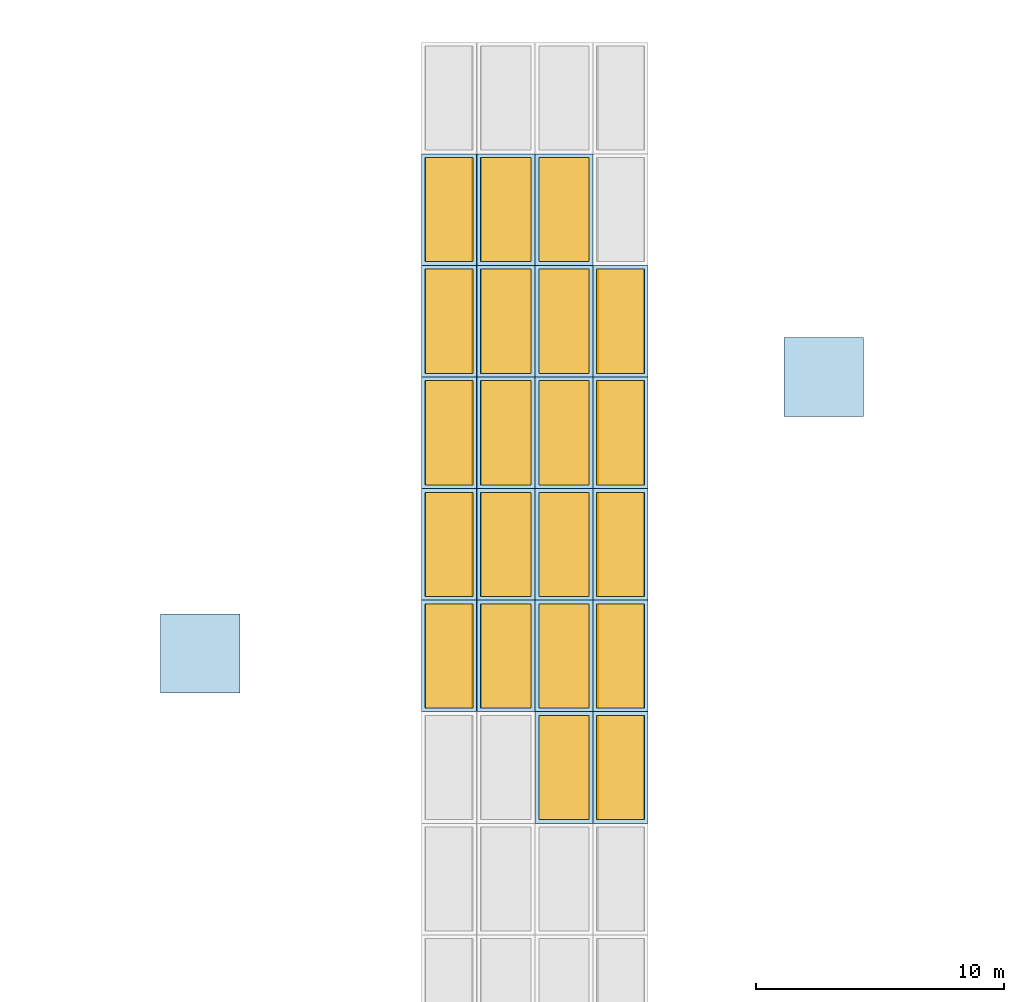
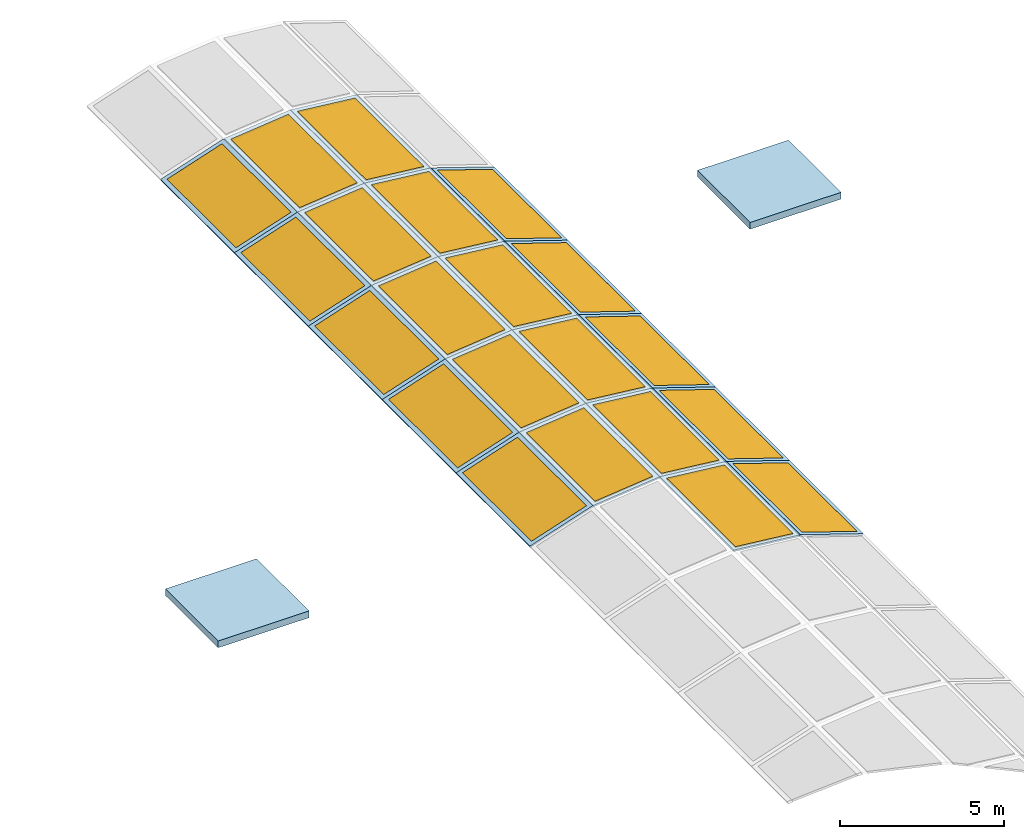
# One storey, part 21 of 45: 23 slabs, 21 windows, 21 openings.
"""IFC4 building model written with IfcOpenShell, lengths in metres."""

import ifcopenshell
import ifcopenshell.guid

model = None  # the IFC model being written
_history = None  # IfcOwnerHistory: only IFC2X3 demands one
_inside = {}  # id of a spatial element -> (the spatial element, [elements in it])
_under = {}  # id of a project, library or spatial element -> (it, [spatial elements below it])
_declared = {}  # id of a project -> (the project, [libraries it declares])
_typed = {}  # id of a type object -> (the type object, [elements of that type])
_made_of = {}  # id of a material, layer set ... -> (it, [elements and type objects made of it])


def new_model(schema):
    """Start an empty IFC model of exactly this schema.

    Asked for "IFC4X3", IfcOpenShell would pick the latest addendum, in which some entities
    have other attributes; the version numbers below select the first issue.
    IFC2X3 requires an IfcOwnerHistory on every rooted entity: one is made here for all.
    """
    global model, _history
    if schema == "IFC4X3":
        model = ifcopenshell.file(schema_version=(4, 3, 0, 0))
    else:
        model = ifcopenshell.file(schema=schema)
    _inside.clear()
    _under.clear()
    _declared.clear()
    _typed.clear()
    _made_of.clear()
    _history = None
    if model.schema == "IFC2X3":
        org = make("IfcOrganization", Name="unknown")
        user = make(
            "IfcPersonAndOrganization",
            ThePerson=make("IfcPerson", FamilyName="unknown"),
            TheOrganization=org,
        )
        app = make(
            "IfcApplication",
            ApplicationDeveloper=org,
            Version="unknown",
            ApplicationFullName="unknown",
            ApplicationIdentifier="unknown",
        )
        _history = make(
            "IfcOwnerHistory",
            OwningUser=user,
            OwningApplication=app,
            ChangeAction="ADDED",
            CreationDate=0,
        )
    return model


def make(cls, **values):
    """One entity of the class cls with the attributes given. An attribute that is None is left unset."""
    return model.create_entity(
        cls, **{name: value for name, value in values.items() if value is not None}
    )


def rooted(cls, **values):
    """An entity with a GlobalId (a new one), such as an element, a storey or a relation."""
    return make(cls, GlobalId=ifcopenshell.guid.new(), OwnerHistory=_history, **values)


def si_unit(unit_type, name, prefix=None):
    """IfcSIUnit, for example si_unit("LENGTHUNIT", "METRE", prefix="MILLI")."""
    return make("IfcSIUnit", UnitType=unit_type, Prefix=prefix, Name=name)


def assignment(units):
    """IfcUnitAssignment: the units of a project."""
    return None if units is None else make("IfcUnitAssignment", Units=units)


def point(xyz):
    """IfcCartesianPoint."""
    return None if xyz is None else make("IfcCartesianPoint", Coordinates=xyz)


def direction(xyz):
    """IfcDirection."""
    return None if xyz is None else make("IfcDirection", DirectionRatios=xyz)


def frame(location, z_axis=None, x_axis=None):
    """IfcAxis2Placement3D, a coordinate frame: its origin and axes. An axis left out is left unset."""
    return make(
        "IfcAxis2Placement3D",
        Location=point(location),
        Axis=direction(z_axis),
        RefDirection=direction(x_axis),
    )


def frame_2d(location, x_axis=None):
    """IfcAxis2Placement2D, a coordinate frame in the plane: its origin and x axis."""
    return make(
        "IfcAxis2Placement2D", Location=point(location), RefDirection=direction(x_axis)
    )


def origin():
    """The frame at (0, 0, 0) with its axes left unset."""
    return frame((0.0, 0.0, 0.0))


def origin_2d():
    """The frame at (0, 0) in the plane with its x axis left unset."""
    return frame_2d((0.0, 0.0))


def place(relative_to, where):
    """IfcLocalPlacement: puts the frame where relative to a parent placement (None: the world)."""
    return make(
        "IfcLocalPlacement", PlacementRelTo=relative_to, RelativePlacement=where
    )


def context(
    kind, dimensions, precision=None, world=None, true_north=None, identifier=None
):
    """IfcGeometricRepresentationContext, for example the 3D "Model" context."""
    return make(
        "IfcGeometricRepresentationContext",
        ContextIdentifier=identifier,
        ContextType=kind,
        CoordinateSpaceDimension=dimensions,
        Precision=precision,
        WorldCoordinateSystem=world,
        TrueNorth=true_north,
    )


def subcontext(parent, identifier, kind, view, scale=None):
    """IfcGeometricRepresentationSubContext, for example "Body" below "Model"."""
    return make(
        "IfcGeometricRepresentationSubContext",
        ContextIdentifier=identifier,
        ContextType=kind,
        ParentContext=parent,
        TargetScale=scale,
        TargetView=view,
    )


def project(units=None, contexts=None):
    """IfcProject with its units and contexts."""
    return rooted(
        "IfcProject",
        Name="project",
        RepresentationContexts=contexts,
        UnitsInContext=assignment(units),
    )


def spatial(cls, under=None, at=None, **own):
    """A site, building, storey or space (cls), placed at a placement, below another one or the project."""
    s = rooted(cls, ObjectPlacement=at, **own)
    if under is not None:
        _under.setdefault(under.id(), (under, []))[1].append(s)
    return s


def polyline(points):
    """IfcPolyline through the points."""
    return make("IfcPolyline", Points=[point(p) for p in points])


def profile(cls, at=None, kind="AREA", **sizes):
    """A parametric profile (cls). Its sizes go by their IFC names, for example OverallWidth=200.0."""
    return make(cls, ProfileType=kind, Position=at, **sizes)


def rectangle(**sizes):
    """IfcRectangleProfileDef."""
    return profile("IfcRectangleProfileDef", **sizes)


def outline(outer, holes=None, kind="AREA"):
    """IfcArbitraryClosedProfileDef: a profile drawn as a closed curve; with holes, ...WithVoids."""
    if holes is None:
        return make("IfcArbitraryClosedProfileDef", ProfileType=kind, OuterCurve=outer)
    return make(
        "IfcArbitraryProfileDefWithVoids",
        ProfileType=kind,
        OuterCurve=outer,
        InnerCurves=holes,
    )


def extrude(swept, where, along, depth):
    """IfcExtrudedAreaSolid: the profile swept, set in the frame where, extruded along a direction by depth."""
    return make(
        "IfcExtrudedAreaSolid",
        SweptArea=swept,
        Position=where,
        ExtrudedDirection=direction(along),
        Depth=depth,
    )


def shape(context_of_items, identifier, shape_type, items):
    """IfcShapeRepresentation: the items that make up one representation, for example the "Body"."""
    return make(
        "IfcShapeRepresentation",
        ContextOfItems=context_of_items,
        RepresentationIdentifier=identifier,
        RepresentationType=shape_type,
        Items=items,
    )


def material(Name=None, Category=None):
    """IfcMaterial."""
    return make("IfcMaterial", Name=Name, Category=Category)


def layer(
    of_material, thickness, ventilated=None, Name=None, Category=None, Priority=None
):
    """IfcMaterialLayer: one layer of a wall or slab, of a material (None: an air gap)."""
    return make(
        "IfcMaterialLayer",
        Material=of_material,
        LayerThickness=thickness,
        IsVentilated=ventilated,
        Name=Name,
        Category=Category,
        Priority=Priority,
    )


def layer_set(layers, Name=None):
    """IfcMaterialLayerSet."""
    return make("IfcMaterialLayerSet", MaterialLayers=layers, LayerSetName=Name)


def made_of(thing, what):
    """Note that an element or type object is made of a material, layer set ...; save() writes the relation."""
    if what is not None:
        _made_of.setdefault(what.id(), (what, []))[1].append(thing)
    return thing


def type_object(cls, material=None, **own):
    """A type object (cls), such as IfcWallType, which elements share."""
    return made_of(rooted(cls, **own), material)


def element(
    cls,
    number,
    at=None,
    inside=None,
    cuts=None,
    type_object=None,
    material=None,
    context=None,
    identifier="Body",
    shape_type=None,
    held_by="IfcProductDefinitionShape",
    body=None,
    shapes=None,
    **own,
):
    """One element of the class cls, such as IfcWall. Its Tag is "e" and its number.

    at: its placement. inside: the storey or other place that contains it. cuts: it is an
    opening in that element (IfcRelVoidsElement). A single representation is given by context,
    identifier, shape_type and body (its items); several are given by shapes. held_by: the class
    of the entity that holds the representations. save() writes the other relations.
    """
    e = rooted(cls, Tag="e%d" % number, ObjectPlacement=at, **own)
    if body is not None:
        shapes = [shape(context, identifier, shape_type, body)]
    if shapes is not None:
        e.Representation = make(held_by, Representations=shapes)
    if inside is not None:
        _inside.setdefault(inside.id(), (inside, []))[1].append(e)
    if cuts is not None:
        rooted(
            "IfcRelVoidsElement", RelatingBuildingElement=cuts, RelatedOpeningElement=e
        )
    if type_object is not None:
        _typed.setdefault(type_object.id(), (type_object, []))[1].append(e)
    return made_of(e, material)


def fill(opening, filler):
    """IfcRelFillsElement: the door or window that sits in an opening."""
    return rooted(
        "IfcRelFillsElement",
        RelatingOpeningElement=opening,
        RelatedBuildingElement=filler,
    )


def aggregate(whole, parts):
    """IfcRelAggregates: a whole, such as a stair, and the parts it consists of."""
    return rooted("IfcRelAggregates", RelatingObject=whole, RelatedObjects=parts)


def save(model, path):
    """Write the relations noted so far, then the file.

    IfcRelAggregates (storeys below a building ...), IfcRelContainedInSpatialStructure (elements
    in a storey), IfcRelDefinesByType, IfcRelAssociatesMaterial and IfcRelDeclares: one each for
    every whole, place, type object, material and project.
    """
    for whole, parts in _under.values():
        aggregate(whole, parts)
    for where, things in _inside.values():
        rooted(
            "IfcRelContainedInSpatialStructure",
            RelatedElements=things,
            RelatingStructure=where,
        )
    for kind, things in _typed.values():
        rooted("IfcRelDefinesByType", RelatedObjects=things, RelatingType=kind)
    for what, things in _made_of.values():
        rooted("IfcRelAssociatesMaterial", RelatedObjects=things, RelatingMaterial=what)
    for by, libraries in _declared.values():
        rooted("IfcRelDeclares", RelatingContext=by, RelatedDefinitions=libraries)
    model.write(path)


model = new_model("IFC4")

# Units and contexts
model_context = context("Model", 3, precision=1e-05, world=origin(), true_north=direction((0.0, 1.0)))
body_context = subcontext(model_context, "Body", "Model", "MODEL_VIEW")
ifc_project = project(units=[si_unit("LENGTHUNIT", "METRE"), si_unit("AREAUNIT", "SQUARE_METRE"), si_unit("VOLUMEUNIT", "CUBIC_METRE"), si_unit("PLANEANGLEUNIT", "RADIAN"), si_unit("MASSUNIT", "GRAM", prefix="KILO")], contexts=[model_context])

# Site, building, storey
site_placement = place(None, origin())
site = spatial("IfcSite", under=ifc_project, at=site_placement, CompositionType="ELEMENT")
building_placement = place(site_placement, origin())
building = spatial("IfcBuilding", under=site, at=building_placement, Name="Guidao Yard Department Store", CompositionType="ELEMENT")
storey_placement = place(building_placement, frame((0.0, 0.0, 19.5)))
storey = spatial("IfcBuildingStorey", under=building, at=storey_placement, Name="L04", CompositionType="ELEMENT", Elevation=19.5)

# Slabs
ifc_material_1 = material(Name="Concrete C35", Category="concrete")
ifc_layer_1 = layer(ifc_material_1, 0.25)
ifc_layer_set_1 = layer_set([ifc_layer_1], Name="Roof slab RC 250 C35 head house")
slab_type_1 = type_object("IfcSlabType", Name="Roof slab RC 250 C35 head house", PredefinedType="ROOF", material=ifc_layer_set_1)
slab_1_placement = place(storey_placement, origin())
element("IfcSlab", 1, at=slab_1_placement, inside=storey, type_object=slab_type_1, Name="Lift overrun cover slab GL1", PredefinedType="ROOF", context=body_context, shape_type="SweptSolid", body=[
    extrude(outline(polyline([(74.89990234375, 81.75), (78.10009765625, 81.75), (78.10009765625, 84.949951171875), (74.89990234375, 84.949951171875), (74.89990234375, 81.75)])), origin(), (0.0, 0.0, 1.0), 0.25),
])
slab_2_placement = place(storey_placement, origin())
element("IfcSlab", 2, at=slab_2_placement, inside=storey, type_object=slab_type_1, Name="Lift overrun cover slab GL2", PredefinedType="ROOF", context=body_context, shape_type="SweptSolid", body=[
    extrude(outline(polyline([(100.050048828125, 92.89990234375), (103.25, 92.89990234375), (103.25, 96.10009765625), (100.050048828125, 96.10009765625), (100.050048828125, 92.89990234375)])), origin(), (0.0, 0.0, 1.0), 0.25),
])

# Slab, opening, window
ifc_material_2 = material(Name="Aluminium 6063-T5", Category="aluminium")
ifc_layer_2 = layer(ifc_material_2, 0.06005859375)
ifc_layer_set_2 = layer_set([ifc_layer_2], Name="Smoke vent frame SV2 aluminium")
slab_type_2 = type_object("IfcSlabType", Name="Smoke vent frame SV2 aluminium", PredefinedType="ROOF", material=ifc_layer_set_2)
slab_3_placement = place(storey_placement, frame((90.00634765625, 76.5, 1.530029296875), z_axis=(0.106496330274, 0.0, 0.994313095377), x_axis=(0.994313095377, 0.0, -0.106496330274)))
slab_3 = element("IfcSlab", 3, at=slab_3_placement, inside=storey, type_object=slab_type_2, Name="Smoke vent frame C04-06B", PredefinedType="ROOF", context=body_context, shape_type="SweptSolid", body=[
    extrude(outline(polyline([(0.0, 0.0), (2.3429137709050942, 0.0), (2.3429137709050942, 4.5), (0.0, 4.5), (0.0, 0.0)])), origin(), (0.0, 0.0, -1.0), 0.06005859375),
])
opening_1_placement = place(slab_3_placement, frame((1.17138671875, 2.25, 0.0)))
opening_1 = element("IfcOpeningElement", 4, at=opening_1_placement, cuts=slab_3, Name="Opening SW-C04-06B", PredefinedType="OPENING", context=body_context, shape_type="SweptSolid", body=[
    extrude(rectangle(XDim=2.04296875, YDim=4.199951171875, at=origin_2d()), frame((0.0, 0.0, 0.010009765625)), (0.0, 0.0, -1.0), 0.080078125),
])
ifc_material_3 = material(Name="Laminated glass in Aluminium 6063-T5 frame", Category="aluminium")
window_type = type_object("IfcWindowType", Name="Smoke vent SV2 operable skylight", PartitioningType="SINGLE_PANEL", PredefinedType="SKYLIGHT", material=ifc_material_3)
window_1_placement = place(opening_1_placement, frame((0.0, 0.0, -0.050048828125)))
window_1 = element("IfcWindow", 5, at=window_1_placement, inside=storey, type_object=window_type, Name="Smoke vent C04-06B", OverallHeight=4.199951171875, OverallWidth=2.04296875, PartitioningType="SINGLE_PANEL", PredefinedType="SKYLIGHT", context=body_context, shape_type="SweptSolid", body=[
    extrude(rectangle(XDim=2.04296875, YDim=4.199951171875, at=origin_2d()), origin(), (0.0, 0.0, 1.0), 0.050048828125),
])
fill(opening_1, window_1)

slab_4_placement = place(storey_placement, frame((92.3486328125, 76.5, 1.27783203125), z_axis=(0.314942635396, 0.0, 0.949110708195), x_axis=(0.949110708195, 0.0, -0.314942635396)))
slab_4 = element("IfcSlab", 6, at=slab_4_placement, inside=storey, type_object=slab_type_2, Name="Smoke vent frame C04-07B", PredefinedType="ROOF", context=body_context, shape_type="SweptSolid", body=[
    extrude(outline(polyline([(0.0, 0.0), (2.337200180755829, 0.0), (2.337200180755829, 4.5), (0.0, 4.5), (0.0, 0.0)])), origin(), (0.0, 0.0, -1.0), 0.06005859375),
])
opening_2_placement = place(slab_4_placement, frame((1.168701171875, 2.25, 0.0)))
opening_2 = element("IfcOpeningElement", 7, at=opening_2_placement, cuts=slab_4, Name="Opening SW-C04-07B", PredefinedType="OPENING", context=body_context, shape_type="SweptSolid", body=[
    extrude(rectangle(XDim=2.037353515625, YDim=4.199951171875, at=origin_2d()), frame((0.0, 0.0, 0.010009765625)), (0.0, 0.0, -1.0), 0.080078125),
])
window_2_placement = place(opening_2_placement, frame((0.0, 0.0, -0.050048828125)))
window_2 = element("IfcWindow", 8, at=window_2_placement, inside=storey, type_object=window_type, Name="Smoke vent C04-07B", OverallHeight=4.199951171875, OverallWidth=2.037353515625, PartitioningType="SINGLE_PANEL", PredefinedType="SKYLIGHT", context=body_context, shape_type="SweptSolid", body=[
    extrude(rectangle(XDim=2.037353515625, YDim=4.199951171875, at=origin_2d()), origin(), (0.0, 0.0, 1.0), 0.050048828125),
])
fill(opening_2, window_2)

slab_5_placement = place(storey_placement, frame((85.43310546875, 81.0, 0.541748046875), z_axis=(-0.314942635396, 0.0, 0.949110708195), x_axis=(0.949110708195, 0.0, 0.314942635396)))
slab_5 = element("IfcSlab", 9, at=slab_5_placement, inside=storey, type_object=slab_type_2, Name="Smoke vent frame C05-04A", PredefinedType="ROOF", context=body_context, shape_type="SweptSolid", body=[
    extrude(outline(polyline([(0.0, 0.0), (2.337200180755829, 0.0), (2.337200180755829, 4.5), (0.0, 4.5), (0.0, 0.0)])), origin(), (0.0, 0.0, -1.0), 0.06005859375),
])
opening_3_placement = place(slab_5_placement, frame((1.168701171875, 2.25, 0.0)))
opening_3 = element("IfcOpeningElement", 10, at=opening_3_placement, cuts=slab_5, Name="Opening SW-C05-04A", PredefinedType="OPENING", context=body_context, shape_type="SweptSolid", body=[
    extrude(rectangle(XDim=2.037353515625, YDim=4.199951171875, at=origin_2d()), frame((0.0, 0.0, 0.010009765625)), (0.0, 0.0, -1.0), 0.080078125),
])
window_3_placement = place(opening_3_placement, frame((0.0, 0.0, -0.050048828125)))
window_3 = element("IfcWindow", 11, at=window_3_placement, inside=storey, type_object=window_type, Name="Smoke vent C05-04A", OverallHeight=4.199951171875, OverallWidth=2.037353515625, PartitioningType="SINGLE_PANEL", PredefinedType="SKYLIGHT", context=body_context, shape_type="SweptSolid", body=[
    extrude(rectangle(XDim=2.037353515625, YDim=4.199951171875, at=origin_2d()), origin(), (0.0, 0.0, 1.0), 0.050048828125),
])
fill(opening_3, window_3)

slab_6_placement = place(storey_placement, frame((85.43310546875, 85.5, 0.541748046875), z_axis=(-0.314942635396, 0.0, 0.949110708195), x_axis=(0.949110708195, 0.0, 0.314942635396)))
slab_6 = element("IfcSlab", 12, at=slab_6_placement, inside=storey, type_object=slab_type_2, Name="Smoke vent frame C05-04B", PredefinedType="ROOF", context=body_context, shape_type="SweptSolid", body=[
    extrude(outline(polyline([(0.0, 0.0), (2.337200180755829, 0.0), (2.337200180755829, 4.5), (0.0, 4.5), (0.0, 0.0)])), origin(), (0.0, 0.0, -1.0), 0.06005859375),
])
opening_4_placement = place(slab_6_placement, frame((1.168701171875, 2.25, 0.0)))
opening_4 = element("IfcOpeningElement", 13, at=opening_4_placement, cuts=slab_6, Name="Opening SW-C05-04B", PredefinedType="OPENING", context=body_context, shape_type="SweptSolid", body=[
    extrude(rectangle(XDim=2.037353515625, YDim=4.199951171875, at=origin_2d()), frame((0.0, 0.0, 0.010009765625)), (0.0, 0.0, -1.0), 0.080078125),
])
window_4_placement = place(opening_4_placement, frame((0.0, 0.0, -0.050048828125)))
window_4 = element("IfcWindow", 14, at=window_4_placement, inside=storey, type_object=window_type, Name="Smoke vent C05-04B", OverallHeight=4.199951171875, OverallWidth=2.037353515625, PartitioningType="SINGLE_PANEL", PredefinedType="SKYLIGHT", context=body_context, shape_type="SweptSolid", body=[
    extrude(rectangle(XDim=2.037353515625, YDim=4.199951171875, at=origin_2d()), origin(), (0.0, 0.0, 1.0), 0.050048828125),
])
fill(opening_4, window_4)

slab_7_placement = place(storey_placement, frame((87.6640625, 81.0, 1.280517578125), z_axis=(-0.106496330274, 0.0, 0.994313095377), x_axis=(0.994313095377, 0.0, 0.106496330274)))
slab_7 = element("IfcSlab", 15, at=slab_7_placement, inside=storey, type_object=slab_type_2, Name="Smoke vent frame C05-05A", PredefinedType="ROOF", context=body_context, shape_type="SweptSolid", body=[
    extrude(outline(polyline([(0.0, 0.0), (2.3429137709050942, 0.0), (2.3429137709050942, 4.5), (0.0, 4.5), (0.0, 0.0)])), origin(), (0.0, 0.0, -1.0), 0.06005859375),
])
opening_5_placement = place(slab_7_placement, frame((1.17138671875, 2.25, 0.0)))
opening_5 = element("IfcOpeningElement", 16, at=opening_5_placement, cuts=slab_7, Name="Opening SW-C05-05A", PredefinedType="OPENING", context=body_context, shape_type="SweptSolid", body=[
    extrude(rectangle(XDim=2.04296875, YDim=4.199951171875, at=origin_2d()), frame((0.0, 0.0, 0.010009765625)), (0.0, 0.0, -1.0), 0.080078125),
])
window_5_placement = place(opening_5_placement, frame((0.0, 0.0, -0.050048828125)))
window_5 = element("IfcWindow", 17, at=window_5_placement, inside=storey, type_object=window_type, Name="Smoke vent C05-05A", OverallHeight=4.199951171875, OverallWidth=2.04296875, PartitioningType="SINGLE_PANEL", PredefinedType="SKYLIGHT", context=body_context, shape_type="SweptSolid", body=[
    extrude(rectangle(XDim=2.04296875, YDim=4.199951171875, at=origin_2d()), origin(), (0.0, 0.0, 1.0), 0.050048828125),
])
fill(opening_5, window_5)

slab_8_placement = place(storey_placement, frame((87.6640625, 85.5, 1.280517578125), z_axis=(-0.106496330274, 0.0, 0.994313095377), x_axis=(0.994313095377, 0.0, 0.106496330274)))
slab_8 = element("IfcSlab", 18, at=slab_8_placement, inside=storey, type_object=slab_type_2, Name="Smoke vent frame C05-05B", PredefinedType="ROOF", context=body_context, shape_type="SweptSolid", body=[
    extrude(outline(polyline([(0.0, 0.0), (2.3429137709050942, 0.0), (2.3429137709050942, 4.5), (0.0, 4.5), (0.0, 0.0)])), origin(), (0.0, 0.0, -1.0), 0.06005859375),
])
opening_6_placement = place(slab_8_placement, frame((1.17138671875, 2.25, 0.0)))
opening_6 = element("IfcOpeningElement", 19, at=opening_6_placement, cuts=slab_8, Name="Opening SW-C05-05B", PredefinedType="OPENING", context=body_context, shape_type="SweptSolid", body=[
    extrude(rectangle(XDim=2.04296875, YDim=4.199951171875, at=origin_2d()), frame((0.0, 0.0, 0.010009765625)), (0.0, 0.0, -1.0), 0.080078125),
])
window_6_placement = place(opening_6_placement, frame((0.0, 0.0, -0.050048828125)))
window_6 = element("IfcWindow", 20, at=window_6_placement, inside=storey, type_object=window_type, Name="Smoke vent C05-05B", OverallHeight=4.199951171875, OverallWidth=2.04296875, PartitioningType="SINGLE_PANEL", PredefinedType="SKYLIGHT", context=body_context, shape_type="SweptSolid", body=[
    extrude(rectangle(XDim=2.04296875, YDim=4.199951171875, at=origin_2d()), origin(), (0.0, 0.0, 1.0), 0.050048828125),
])
fill(opening_6, window_6)

slab_9_placement = place(storey_placement, frame((90.00634765625, 81.0, 1.530029296875), z_axis=(0.106496330274, 0.0, 0.994313095377), x_axis=(0.994313095377, 0.0, -0.106496330274)))
slab_9 = element("IfcSlab", 21, at=slab_9_placement, inside=storey, type_object=slab_type_2, Name="Smoke vent frame C05-06A", PredefinedType="ROOF", context=body_context, shape_type="SweptSolid", body=[
    extrude(outline(polyline([(0.0, 0.0), (2.3429137709050942, 0.0), (2.3429137709050942, 4.5), (0.0, 4.5), (0.0, 0.0)])), origin(), (0.0, 0.0, -1.0), 0.06005859375),
])
opening_7_placement = place(slab_9_placement, frame((1.17138671875, 2.25, 0.0)))
opening_7 = element("IfcOpeningElement", 22, at=opening_7_placement, cuts=slab_9, Name="Opening SW-C05-06A", PredefinedType="OPENING", context=body_context, shape_type="SweptSolid", body=[
    extrude(rectangle(XDim=2.04296875, YDim=4.199951171875, at=origin_2d()), frame((0.0, 0.0, 0.010009765625)), (0.0, 0.0, -1.0), 0.080078125),
])
window_7_placement = place(opening_7_placement, frame((0.0, 0.0, -0.050048828125)))
window_7 = element("IfcWindow", 23, at=window_7_placement, inside=storey, type_object=window_type, Name="Smoke vent C05-06A", OverallHeight=4.199951171875, OverallWidth=2.04296875, PartitioningType="SINGLE_PANEL", PredefinedType="SKYLIGHT", context=body_context, shape_type="SweptSolid", body=[
    extrude(rectangle(XDim=2.04296875, YDim=4.199951171875, at=origin_2d()), origin(), (0.0, 0.0, 1.0), 0.050048828125),
])
fill(opening_7, window_7)

slab_10_placement = place(storey_placement, frame((90.00634765625, 85.5, 1.530029296875), z_axis=(0.106496330274, 0.0, 0.994313095377), x_axis=(0.994313095377, 0.0, -0.106496330274)))
slab_10 = element("IfcSlab", 24, at=slab_10_placement, inside=storey, type_object=slab_type_2, Name="Smoke vent frame C05-06B", PredefinedType="ROOF", context=body_context, shape_type="SweptSolid", body=[
    extrude(outline(polyline([(0.0, 0.0), (2.3429137709050942, 0.0), (2.3429137709050942, 4.5), (0.0, 4.5), (0.0, 0.0)])), origin(), (0.0, 0.0, -1.0), 0.06005859375),
])
opening_8_placement = place(slab_10_placement, frame((1.17138671875, 2.25, 0.0)))
opening_8 = element("IfcOpeningElement", 25, at=opening_8_placement, cuts=slab_10, Name="Opening SW-C05-06B", PredefinedType="OPENING", context=body_context, shape_type="SweptSolid", body=[
    extrude(rectangle(XDim=2.04296875, YDim=4.199951171875, at=origin_2d()), frame((0.0, 0.0, 0.010009765625)), (0.0, 0.0, -1.0), 0.080078125),
])
window_8_placement = place(opening_8_placement, frame((0.0, 0.0, -0.050048828125)))
window_8 = element("IfcWindow", 26, at=window_8_placement, inside=storey, type_object=window_type, Name="Smoke vent C05-06B", OverallHeight=4.199951171875, OverallWidth=2.04296875, PartitioningType="SINGLE_PANEL", PredefinedType="SKYLIGHT", context=body_context, shape_type="SweptSolid", body=[
    extrude(rectangle(XDim=2.04296875, YDim=4.199951171875, at=origin_2d()), origin(), (0.0, 0.0, 1.0), 0.050048828125),
])
fill(opening_8, window_8)

slab_11_placement = place(storey_placement, frame((92.3486328125, 81.0, 1.27783203125), z_axis=(0.314942635396, 0.0, 0.949110708195), x_axis=(0.949110708195, 0.0, -0.314942635396)))
slab_11 = element("IfcSlab", 27, at=slab_11_placement, inside=storey, type_object=slab_type_2, Name="Smoke vent frame C05-07A", PredefinedType="ROOF", context=body_context, shape_type="SweptSolid", body=[
    extrude(outline(polyline([(0.0, 0.0), (2.337200180755829, 0.0), (2.337200180755829, 4.5), (0.0, 4.5), (0.0, 0.0)])), origin(), (0.0, 0.0, -1.0), 0.06005859375),
])
opening_9_placement = place(slab_11_placement, frame((1.168701171875, 2.25, 0.0)))
opening_9 = element("IfcOpeningElement", 28, at=opening_9_placement, cuts=slab_11, Name="Opening SW-C05-07A", PredefinedType="OPENING", context=body_context, shape_type="SweptSolid", body=[
    extrude(rectangle(XDim=2.037353515625, YDim=4.199951171875, at=origin_2d()), frame((0.0, 0.0, 0.010009765625)), (0.0, 0.0, -1.0), 0.080078125),
])
window_9_placement = place(opening_9_placement, frame((0.0, 0.0, -0.050048828125)))
window_9 = element("IfcWindow", 29, at=window_9_placement, inside=storey, type_object=window_type, Name="Smoke vent C05-07A", OverallHeight=4.199951171875, OverallWidth=2.037353515625, PartitioningType="SINGLE_PANEL", PredefinedType="SKYLIGHT", context=body_context, shape_type="SweptSolid", body=[
    extrude(rectangle(XDim=2.037353515625, YDim=4.199951171875, at=origin_2d()), origin(), (0.0, 0.0, 1.0), 0.050048828125),
])
fill(opening_9, window_9)

slab_12_placement = place(storey_placement, frame((92.3486328125, 85.5, 1.27783203125), z_axis=(0.314942635396, 0.0, 0.949110708195), x_axis=(0.949110708195, 0.0, -0.314942635396)))
slab_12 = element("IfcSlab", 30, at=slab_12_placement, inside=storey, type_object=slab_type_2, Name="Smoke vent frame C05-07B", PredefinedType="ROOF", context=body_context, shape_type="SweptSolid", body=[
    extrude(outline(polyline([(0.0, 0.0), (2.337200180755829, 0.0), (2.337200180755829, 4.5), (0.0, 4.5), (0.0, 0.0)])), origin(), (0.0, 0.0, -1.0), 0.06005859375),
])
opening_10_placement = place(slab_12_placement, frame((1.168701171875, 2.25, 0.0)))
opening_10 = element("IfcOpeningElement", 31, at=opening_10_placement, cuts=slab_12, Name="Opening SW-C05-07B", PredefinedType="OPENING", context=body_context, shape_type="SweptSolid", body=[
    extrude(rectangle(XDim=2.037353515625, YDim=4.199951171875, at=origin_2d()), frame((0.0, 0.0, 0.010009765625)), (0.0, 0.0, -1.0), 0.080078125),
])
window_10_placement = place(opening_10_placement, frame((0.0, 0.0, -0.050048828125)))
window_10 = element("IfcWindow", 32, at=window_10_placement, inside=storey, type_object=window_type, Name="Smoke vent C05-07B", OverallHeight=4.199951171875, OverallWidth=2.037353515625, PartitioningType="SINGLE_PANEL", PredefinedType="SKYLIGHT", context=body_context, shape_type="SweptSolid", body=[
    extrude(rectangle(XDim=2.037353515625, YDim=4.199951171875, at=origin_2d()), origin(), (0.0, 0.0, 1.0), 0.050048828125),
])
fill(opening_10, window_10)

slab_13_placement = place(storey_placement, frame((85.43310546875, 90.0, 0.541748046875), z_axis=(-0.314942635396, 0.0, 0.949110708195), x_axis=(0.949110708195, 0.0, 0.314942635396)))
slab_13 = element("IfcSlab", 33, at=slab_13_placement, inside=storey, type_object=slab_type_2, Name="Smoke vent frame C06-04A", PredefinedType="ROOF", context=body_context, shape_type="SweptSolid", body=[
    extrude(outline(polyline([(0.0, 0.0), (2.337200180755829, 0.0), (2.337200180755829, 4.5), (0.0, 4.5), (0.0, 0.0)])), origin(), (0.0, 0.0, -1.0), 0.06005859375),
])
opening_11_placement = place(slab_13_placement, frame((1.168701171875, 2.25, 0.0)))
opening_11 = element("IfcOpeningElement", 34, at=opening_11_placement, cuts=slab_13, Name="Opening SW-C06-04A", PredefinedType="OPENING", context=body_context, shape_type="SweptSolid", body=[
    extrude(rectangle(XDim=2.037353515625, YDim=4.199951171875, at=origin_2d()), frame((0.0, 0.0, 0.010009765625)), (0.0, 0.0, -1.0), 0.080078125),
])
window_11_placement = place(opening_11_placement, frame((0.0, 0.0, -0.050048828125)))
window_11 = element("IfcWindow", 35, at=window_11_placement, inside=storey, type_object=window_type, Name="Smoke vent C06-04A", OverallHeight=4.199951171875, OverallWidth=2.037353515625, PartitioningType="SINGLE_PANEL", PredefinedType="SKYLIGHT", context=body_context, shape_type="SweptSolid", body=[
    extrude(rectangle(XDim=2.037353515625, YDim=4.199951171875, at=origin_2d()), origin(), (0.0, 0.0, 1.0), 0.050048828125),
])
fill(opening_11, window_11)

slab_14_placement = place(storey_placement, frame((85.43310546875, 94.5, 0.541748046875), z_axis=(-0.314942635396, 0.0, 0.949110708195), x_axis=(0.949110708195, 0.0, 0.314942635396)))
slab_14 = element("IfcSlab", 36, at=slab_14_placement, inside=storey, type_object=slab_type_2, Name="Smoke vent frame C06-04B", PredefinedType="ROOF", context=body_context, shape_type="SweptSolid", body=[
    extrude(outline(polyline([(0.0, 0.0), (2.337200180755829, 0.0), (2.337200180755829, 4.5), (0.0, 4.5), (0.0, 0.0)])), origin(), (0.0, 0.0, -1.0), 0.06005859375),
])
opening_12_placement = place(slab_14_placement, frame((1.168701171875, 2.25, 0.0)))
opening_12 = element("IfcOpeningElement", 37, at=opening_12_placement, cuts=slab_14, Name="Opening SW-C06-04B", PredefinedType="OPENING", context=body_context, shape_type="SweptSolid", body=[
    extrude(rectangle(XDim=2.037353515625, YDim=4.199951171875, at=origin_2d()), frame((0.0, 0.0, 0.010009765625)), (0.0, 0.0, -1.0), 0.080078125),
])
window_12_placement = place(opening_12_placement, frame((0.0, 0.0, -0.050048828125)))
window_12 = element("IfcWindow", 38, at=window_12_placement, inside=storey, type_object=window_type, Name="Smoke vent C06-04B", OverallHeight=4.199951171875, OverallWidth=2.037353515625, PartitioningType="SINGLE_PANEL", PredefinedType="SKYLIGHT", context=body_context, shape_type="SweptSolid", body=[
    extrude(rectangle(XDim=2.037353515625, YDim=4.199951171875, at=origin_2d()), origin(), (0.0, 0.0, 1.0), 0.050048828125),
])
fill(opening_12, window_12)

slab_15_placement = place(storey_placement, frame((87.6640625, 90.0, 1.280517578125), z_axis=(-0.106496330274, 0.0, 0.994313095377), x_axis=(0.994313095377, 0.0, 0.106496330274)))
slab_15 = element("IfcSlab", 39, at=slab_15_placement, inside=storey, type_object=slab_type_2, Name="Smoke vent frame C06-05A", PredefinedType="ROOF", context=body_context, shape_type="SweptSolid", body=[
    extrude(outline(polyline([(0.0, 0.0), (2.3429137709050942, 0.0), (2.3429137709050942, 4.5), (0.0, 4.5), (0.0, 0.0)])), origin(), (0.0, 0.0, -1.0), 0.06005859375),
])
opening_13_placement = place(slab_15_placement, frame((1.17138671875, 2.25, 0.0)))
opening_13 = element("IfcOpeningElement", 40, at=opening_13_placement, cuts=slab_15, Name="Opening SW-C06-05A", PredefinedType="OPENING", context=body_context, shape_type="SweptSolid", body=[
    extrude(rectangle(XDim=2.04296875, YDim=4.199951171875, at=origin_2d()), frame((0.0, 0.0, 0.010009765625)), (0.0, 0.0, -1.0), 0.080078125),
])
window_13_placement = place(opening_13_placement, frame((0.0, 0.0, -0.050048828125)))
window_13 = element("IfcWindow", 41, at=window_13_placement, inside=storey, type_object=window_type, Name="Smoke vent C06-05A", OverallHeight=4.199951171875, OverallWidth=2.04296875, PartitioningType="SINGLE_PANEL", PredefinedType="SKYLIGHT", context=body_context, shape_type="SweptSolid", body=[
    extrude(rectangle(XDim=2.04296875, YDim=4.199951171875, at=origin_2d()), origin(), (0.0, 0.0, 1.0), 0.050048828125),
])
fill(opening_13, window_13)

slab_16_placement = place(storey_placement, frame((87.6640625, 94.5, 1.280517578125), z_axis=(-0.106496330274, 0.0, 0.994313095377), x_axis=(0.994313095377, 0.0, 0.106496330274)))
slab_16 = element("IfcSlab", 42, at=slab_16_placement, inside=storey, type_object=slab_type_2, Name="Smoke vent frame C06-05B", PredefinedType="ROOF", context=body_context, shape_type="SweptSolid", body=[
    extrude(outline(polyline([(0.0, 0.0), (2.3429137709050942, 0.0), (2.3429137709050942, 4.5), (0.0, 4.5), (0.0, 0.0)])), origin(), (0.0, 0.0, -1.0), 0.06005859375),
])
opening_14_placement = place(slab_16_placement, frame((1.17138671875, 2.25, 0.0)))
opening_14 = element("IfcOpeningElement", 43, at=opening_14_placement, cuts=slab_16, Name="Opening SW-C06-05B", PredefinedType="OPENING", context=body_context, shape_type="SweptSolid", body=[
    extrude(rectangle(XDim=2.04296875, YDim=4.199951171875, at=origin_2d()), frame((0.0, 0.0, 0.010009765625)), (0.0, 0.0, -1.0), 0.080078125),
])
window_14_placement = place(opening_14_placement, frame((0.0, 0.0, -0.050048828125)))
window_14 = element("IfcWindow", 44, at=window_14_placement, inside=storey, type_object=window_type, Name="Smoke vent C06-05B", OverallHeight=4.199951171875, OverallWidth=2.04296875, PartitioningType="SINGLE_PANEL", PredefinedType="SKYLIGHT", context=body_context, shape_type="SweptSolid", body=[
    extrude(rectangle(XDim=2.04296875, YDim=4.199951171875, at=origin_2d()), origin(), (0.0, 0.0, 1.0), 0.050048828125),
])
fill(opening_14, window_14)

slab_17_placement = place(storey_placement, frame((90.00634765625, 90.0, 1.530029296875), z_axis=(0.106496330274, 0.0, 0.994313095377), x_axis=(0.994313095377, 0.0, -0.106496330274)))
slab_17 = element("IfcSlab", 45, at=slab_17_placement, inside=storey, type_object=slab_type_2, Name="Smoke vent frame C06-06A", PredefinedType="ROOF", context=body_context, shape_type="SweptSolid", body=[
    extrude(outline(polyline([(0.0, 0.0), (2.3429137709050942, 0.0), (2.3429137709050942, 4.5), (0.0, 4.5), (0.0, 0.0)])), origin(), (0.0, 0.0, -1.0), 0.06005859375),
])
opening_15_placement = place(slab_17_placement, frame((1.17138671875, 2.25, 0.0)))
opening_15 = element("IfcOpeningElement", 46, at=opening_15_placement, cuts=slab_17, Name="Opening SW-C06-06A", PredefinedType="OPENING", context=body_context, shape_type="SweptSolid", body=[
    extrude(rectangle(XDim=2.04296875, YDim=4.199951171875, at=origin_2d()), frame((0.0, 0.0, 0.010009765625)), (0.0, 0.0, -1.0), 0.080078125),
])
window_15_placement = place(opening_15_placement, frame((0.0, 0.0, -0.050048828125)))
window_15 = element("IfcWindow", 47, at=window_15_placement, inside=storey, type_object=window_type, Name="Smoke vent C06-06A", OverallHeight=4.199951171875, OverallWidth=2.04296875, PartitioningType="SINGLE_PANEL", PredefinedType="SKYLIGHT", context=body_context, shape_type="SweptSolid", body=[
    extrude(rectangle(XDim=2.04296875, YDim=4.199951171875, at=origin_2d()), origin(), (0.0, 0.0, 1.0), 0.050048828125),
])
fill(opening_15, window_15)

slab_18_placement = place(storey_placement, frame((90.00634765625, 94.5, 1.530029296875), z_axis=(0.106496330274, 0.0, 0.994313095377), x_axis=(0.994313095377, 0.0, -0.106496330274)))
slab_18 = element("IfcSlab", 48, at=slab_18_placement, inside=storey, type_object=slab_type_2, Name="Smoke vent frame C06-06B", PredefinedType="ROOF", context=body_context, shape_type="SweptSolid", body=[
    extrude(outline(polyline([(0.0, 0.0), (2.3429137709050942, 0.0), (2.3429137709050942, 4.5), (0.0, 4.5), (0.0, 0.0)])), origin(), (0.0, 0.0, -1.0), 0.06005859375),
])
opening_16_placement = place(slab_18_placement, frame((1.17138671875, 2.25, 0.0)))
opening_16 = element("IfcOpeningElement", 49, at=opening_16_placement, cuts=slab_18, Name="Opening SW-C06-06B", PredefinedType="OPENING", context=body_context, shape_type="SweptSolid", body=[
    extrude(rectangle(XDim=2.04296875, YDim=4.199951171875, at=origin_2d()), frame((0.0, 0.0, 0.010009765625)), (0.0, 0.0, -1.0), 0.080078125),
])
window_16_placement = place(opening_16_placement, frame((0.0, 0.0, -0.050048828125)))
window_16 = element("IfcWindow", 50, at=window_16_placement, inside=storey, type_object=window_type, Name="Smoke vent C06-06B", OverallHeight=4.199951171875, OverallWidth=2.04296875, PartitioningType="SINGLE_PANEL", PredefinedType="SKYLIGHT", context=body_context, shape_type="SweptSolid", body=[
    extrude(rectangle(XDim=2.04296875, YDim=4.199951171875, at=origin_2d()), origin(), (0.0, 0.0, 1.0), 0.050048828125),
])
fill(opening_16, window_16)

slab_19_placement = place(storey_placement, frame((92.3486328125, 90.0, 1.27783203125), z_axis=(0.314942635396, 0.0, 0.949110708195), x_axis=(0.949110708195, 0.0, -0.314942635396)))
slab_19 = element("IfcSlab", 51, at=slab_19_placement, inside=storey, type_object=slab_type_2, Name="Smoke vent frame C06-07A", PredefinedType="ROOF", context=body_context, shape_type="SweptSolid", body=[
    extrude(outline(polyline([(0.0, 0.0), (2.337200180755829, 0.0), (2.337200180755829, 4.5), (0.0, 4.5), (0.0, 0.0)])), origin(), (0.0, 0.0, -1.0), 0.06005859375),
])
opening_17_placement = place(slab_19_placement, frame((1.168701171875, 2.25, 0.0)))
opening_17 = element("IfcOpeningElement", 52, at=opening_17_placement, cuts=slab_19, Name="Opening SW-C06-07A", PredefinedType="OPENING", context=body_context, shape_type="SweptSolid", body=[
    extrude(rectangle(XDim=2.037353515625, YDim=4.199951171875, at=origin_2d()), frame((0.0, 0.0, 0.010009765625)), (0.0, 0.0, -1.0), 0.080078125),
])
window_17_placement = place(opening_17_placement, frame((0.0, 0.0, -0.050048828125)))
window_17 = element("IfcWindow", 53, at=window_17_placement, inside=storey, type_object=window_type, Name="Smoke vent C06-07A", OverallHeight=4.199951171875, OverallWidth=2.037353515625, PartitioningType="SINGLE_PANEL", PredefinedType="SKYLIGHT", context=body_context, shape_type="SweptSolid", body=[
    extrude(rectangle(XDim=2.037353515625, YDim=4.199951171875, at=origin_2d()), origin(), (0.0, 0.0, 1.0), 0.050048828125),
])
fill(opening_17, window_17)

slab_20_placement = place(storey_placement, frame((92.3486328125, 94.5, 1.27783203125), z_axis=(0.314942635396, 0.0, 0.949110708195), x_axis=(0.949110708195, 0.0, -0.314942635396)))
slab_20 = element("IfcSlab", 54, at=slab_20_placement, inside=storey, type_object=slab_type_2, Name="Smoke vent frame C06-07B", PredefinedType="ROOF", context=body_context, shape_type="SweptSolid", body=[
    extrude(outline(polyline([(0.0, 0.0), (2.337200180755829, 0.0), (2.337200180755829, 4.5), (0.0, 4.5), (0.0, 0.0)])), origin(), (0.0, 0.0, -1.0), 0.06005859375),
])
opening_18_placement = place(slab_20_placement, frame((1.168701171875, 2.25, 0.0)))
opening_18 = element("IfcOpeningElement", 55, at=opening_18_placement, cuts=slab_20, Name="Opening SW-C06-07B", PredefinedType="OPENING", context=body_context, shape_type="SweptSolid", body=[
    extrude(rectangle(XDim=2.037353515625, YDim=4.199951171875, at=origin_2d()), frame((0.0, 0.0, 0.010009765625)), (0.0, 0.0, -1.0), 0.080078125),
])
window_18_placement = place(opening_18_placement, frame((0.0, 0.0, -0.050048828125)))
window_18 = element("IfcWindow", 56, at=window_18_placement, inside=storey, type_object=window_type, Name="Smoke vent C06-07B", OverallHeight=4.199951171875, OverallWidth=2.037353515625, PartitioningType="SINGLE_PANEL", PredefinedType="SKYLIGHT", context=body_context, shape_type="SweptSolid", body=[
    extrude(rectangle(XDim=2.037353515625, YDim=4.199951171875, at=origin_2d()), origin(), (0.0, 0.0, 1.0), 0.050048828125),
])
fill(opening_18, window_18)

slab_21_placement = place(storey_placement, frame((85.43310546875, 99.0, 0.541748046875), z_axis=(-0.314942635396, 0.0, 0.949110708195), x_axis=(0.949110708195, 0.0, 0.314942635396)))
slab_21 = element("IfcSlab", 57, at=slab_21_placement, inside=storey, type_object=slab_type_2, Name="Smoke vent frame C07-04A", PredefinedType="ROOF", context=body_context, shape_type="SweptSolid", body=[
    extrude(outline(polyline([(0.0, 0.0), (2.337200180755829, 0.0), (2.337200180755829, 4.5), (0.0, 4.5), (0.0, 0.0)])), origin(), (0.0, 0.0, -1.0), 0.06005859375),
])
opening_19_placement = place(slab_21_placement, frame((1.168701171875, 2.25, 0.0)))
opening_19 = element("IfcOpeningElement", 58, at=opening_19_placement, cuts=slab_21, Name="Opening SW-C07-04A", PredefinedType="OPENING", context=body_context, shape_type="SweptSolid", body=[
    extrude(rectangle(XDim=2.037353515625, YDim=4.199951171875, at=origin_2d()), frame((0.0, 0.0, 0.010009765625)), (0.0, 0.0, -1.0), 0.080078125),
])
window_19_placement = place(opening_19_placement, frame((0.0, 0.0, -0.050048828125)))
window_19 = element("IfcWindow", 59, at=window_19_placement, inside=storey, type_object=window_type, Name="Smoke vent C07-04A", OverallHeight=4.199951171875, OverallWidth=2.037353515625, PartitioningType="SINGLE_PANEL", PredefinedType="SKYLIGHT", context=body_context, shape_type="SweptSolid", body=[
    extrude(rectangle(XDim=2.037353515625, YDim=4.199951171875, at=origin_2d()), origin(), (0.0, 0.0, 1.0), 0.050048828125),
])
fill(opening_19, window_19)

slab_22_placement = place(storey_placement, frame((87.6640625, 99.0, 1.280517578125), z_axis=(-0.106496330274, 0.0, 0.994313095377), x_axis=(0.994313095377, 0.0, 0.106496330274)))
slab_22 = element("IfcSlab", 60, at=slab_22_placement, inside=storey, type_object=slab_type_2, Name="Smoke vent frame C07-05A", PredefinedType="ROOF", context=body_context, shape_type="SweptSolid", body=[
    extrude(outline(polyline([(0.0, 0.0), (2.3429137709050942, 0.0), (2.3429137709050942, 4.5), (0.0, 4.5), (0.0, 0.0)])), origin(), (0.0, 0.0, -1.0), 0.06005859375),
])
opening_20_placement = place(slab_22_placement, frame((1.17138671875, 2.25, 0.0)))
opening_20 = element("IfcOpeningElement", 61, at=opening_20_placement, cuts=slab_22, Name="Opening SW-C07-05A", PredefinedType="OPENING", context=body_context, shape_type="SweptSolid", body=[
    extrude(rectangle(XDim=2.04296875, YDim=4.199951171875, at=origin_2d()), frame((0.0, 0.0, 0.010009765625)), (0.0, 0.0, -1.0), 0.080078125),
])
window_20_placement = place(opening_20_placement, frame((0.0, 0.0, -0.050048828125)))
window_20 = element("IfcWindow", 62, at=window_20_placement, inside=storey, type_object=window_type, Name="Smoke vent C07-05A", OverallHeight=4.199951171875, OverallWidth=2.04296875, PartitioningType="SINGLE_PANEL", PredefinedType="SKYLIGHT", context=body_context, shape_type="SweptSolid", body=[
    extrude(rectangle(XDim=2.04296875, YDim=4.199951171875, at=origin_2d()), origin(), (0.0, 0.0, 1.0), 0.050048828125),
])
fill(opening_20, window_20)

slab_23_placement = place(storey_placement, frame((90.00634765625, 99.0, 1.530029296875), z_axis=(0.106496330274, 0.0, 0.994313095377), x_axis=(0.994313095377, 0.0, -0.106496330274)))
slab_23 = element("IfcSlab", 63, at=slab_23_placement, inside=storey, type_object=slab_type_2, Name="Smoke vent frame C07-06A", PredefinedType="ROOF", context=body_context, shape_type="SweptSolid", body=[
    extrude(outline(polyline([(0.0, 0.0), (2.3429137709050942, 0.0), (2.3429137709050942, 4.5), (0.0, 4.5), (0.0, 0.0)])), origin(), (0.0, 0.0, -1.0), 0.06005859375),
])
opening_21_placement = place(slab_23_placement, frame((1.17138671875, 2.25, 0.0)))
opening_21 = element("IfcOpeningElement", 64, at=opening_21_placement, cuts=slab_23, Name="Opening SW-C07-06A", PredefinedType="OPENING", context=body_context, shape_type="SweptSolid", body=[
    extrude(rectangle(XDim=2.04296875, YDim=4.199951171875, at=origin_2d()), frame((0.0, 0.0, 0.010009765625)), (0.0, 0.0, -1.0), 0.080078125),
])
window_21_placement = place(opening_21_placement, frame((0.0, 0.0, -0.050048828125)))
window_21 = element("IfcWindow", 65, at=window_21_placement, inside=storey, type_object=window_type, Name="Smoke vent C07-06A", OverallHeight=4.199951171875, OverallWidth=2.04296875, PartitioningType="SINGLE_PANEL", PredefinedType="SKYLIGHT", context=body_context, shape_type="SweptSolid", body=[
    extrude(rectangle(XDim=2.04296875, YDim=4.199951171875, at=origin_2d()), origin(), (0.0, 0.0, 1.0), 0.050048828125),
])
fill(opening_21, window_21)

save(model, "model.ifc")
